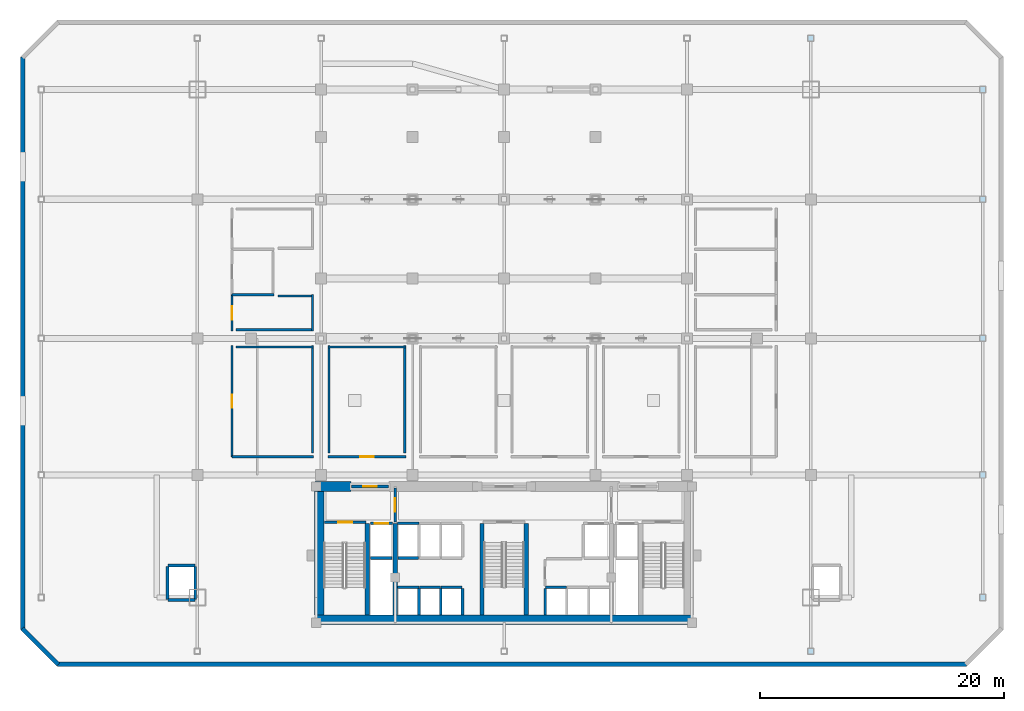
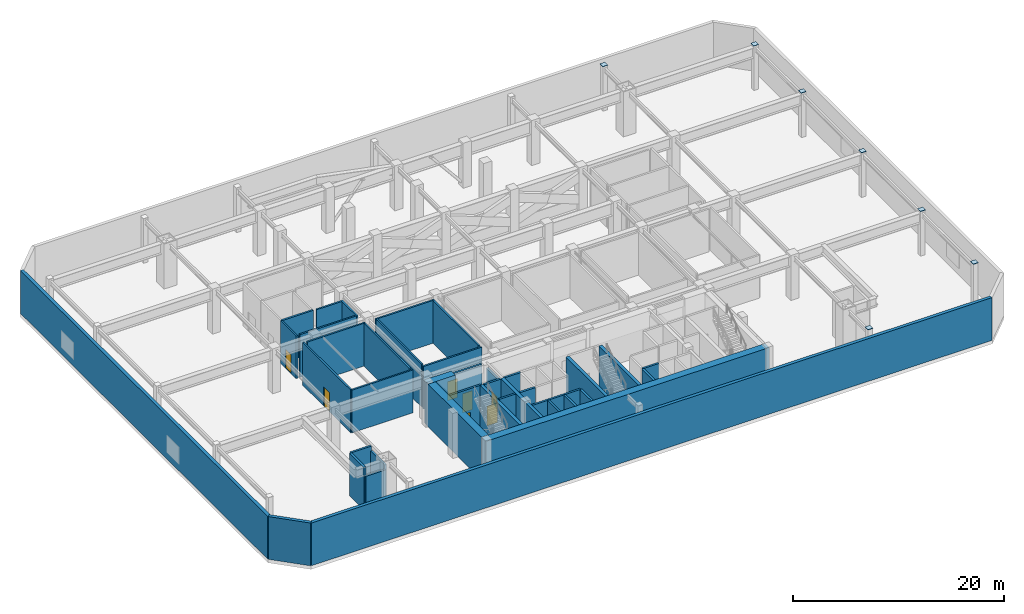
# One storey, part 8 of 14: 42 walls, 7 doors, 7 plates, 7 openings.
"""IFC4 building model written with IfcOpenShell, lengths in metres."""

import ifcopenshell
import ifcopenshell.guid

model = None  # the IFC model being written
_history = None  # IfcOwnerHistory: only IFC2X3 demands one
_inside = {}  # id of a spatial element -> (the spatial element, [elements in it])
_under = {}  # id of a project, library or spatial element -> (it, [spatial elements below it])
_declared = {}  # id of a project -> (the project, [libraries it declares])
_typed = {}  # id of a type object -> (the type object, [elements of that type])
_made_of = {}  # id of a material, layer set ... -> (it, [elements and type objects made of it])


def new_model(schema):
    """Start an empty IFC model of exactly this schema.

    Asked for "IFC4X3", IfcOpenShell would pick the latest addendum, in which some entities
    have other attributes; the version numbers below select the first issue.
    IFC2X3 requires an IfcOwnerHistory on every rooted entity: one is made here for all.
    """
    global model, _history
    if schema == "IFC4X3":
        model = ifcopenshell.file(schema_version=(4, 3, 0, 0))
    else:
        model = ifcopenshell.file(schema=schema)
    _inside.clear()
    _under.clear()
    _declared.clear()
    _typed.clear()
    _made_of.clear()
    _history = None
    if model.schema == "IFC2X3":
        org = make("IfcOrganization", Name="unknown")
        user = make(
            "IfcPersonAndOrganization",
            ThePerson=make("IfcPerson", FamilyName="unknown"),
            TheOrganization=org,
        )
        app = make(
            "IfcApplication",
            ApplicationDeveloper=org,
            Version="unknown",
            ApplicationFullName="unknown",
            ApplicationIdentifier="unknown",
        )
        _history = make(
            "IfcOwnerHistory",
            OwningUser=user,
            OwningApplication=app,
            ChangeAction="ADDED",
            CreationDate=0,
        )
    return model


def make(cls, **values):
    """One entity of the class cls with the attributes given. An attribute that is None is left unset."""
    return model.create_entity(
        cls, **{name: value for name, value in values.items() if value is not None}
    )


def rooted(cls, **values):
    """An entity with a GlobalId (a new one), such as an element, a storey or a relation."""
    return make(cls, GlobalId=ifcopenshell.guid.new(), OwnerHistory=_history, **values)


def si_unit(unit_type, name, prefix=None):
    """IfcSIUnit, for example si_unit("LENGTHUNIT", "METRE", prefix="MILLI")."""
    return make("IfcSIUnit", UnitType=unit_type, Prefix=prefix, Name=name)


def assignment(units):
    """IfcUnitAssignment: the units of a project."""
    return None if units is None else make("IfcUnitAssignment", Units=units)


def point(xyz):
    """IfcCartesianPoint."""
    return None if xyz is None else make("IfcCartesianPoint", Coordinates=xyz)


def direction(xyz):
    """IfcDirection."""
    return None if xyz is None else make("IfcDirection", DirectionRatios=xyz)


def frame(location, z_axis=None, x_axis=None):
    """IfcAxis2Placement3D, a coordinate frame: its origin and axes. An axis left out is left unset."""
    return make(
        "IfcAxis2Placement3D",
        Location=point(location),
        Axis=direction(z_axis),
        RefDirection=direction(x_axis),
    )


def frame_2d(location, x_axis=None):
    """IfcAxis2Placement2D, a coordinate frame in the plane: its origin and x axis."""
    return make(
        "IfcAxis2Placement2D", Location=point(location), RefDirection=direction(x_axis)
    )


def origin():
    """The frame at (0, 0, 0) with its axes left unset."""
    return frame((0.0, 0.0, 0.0))


def origin_2d():
    """The frame at (0, 0) in the plane with its x axis left unset."""
    return frame_2d((0.0, 0.0))


def place(relative_to, where):
    """IfcLocalPlacement: puts the frame where relative to a parent placement (None: the world)."""
    return make(
        "IfcLocalPlacement", PlacementRelTo=relative_to, RelativePlacement=where
    )


def context(
    kind, dimensions, precision=None, world=None, true_north=None, identifier=None
):
    """IfcGeometricRepresentationContext, for example the 3D "Model" context."""
    return make(
        "IfcGeometricRepresentationContext",
        ContextIdentifier=identifier,
        ContextType=kind,
        CoordinateSpaceDimension=dimensions,
        Precision=precision,
        WorldCoordinateSystem=world,
        TrueNorth=true_north,
    )


def subcontext(parent, identifier, kind, view, scale=None):
    """IfcGeometricRepresentationSubContext, for example "Body" below "Model"."""
    return make(
        "IfcGeometricRepresentationSubContext",
        ContextIdentifier=identifier,
        ContextType=kind,
        ParentContext=parent,
        TargetScale=scale,
        TargetView=view,
    )


def project(units=None, contexts=None):
    """IfcProject with its units and contexts."""
    return rooted(
        "IfcProject",
        Name="project",
        RepresentationContexts=contexts,
        UnitsInContext=assignment(units),
    )


def spatial(cls, under=None, at=None, **own):
    """A site, building, storey or space (cls), placed at a placement, below another one or the project."""
    s = rooted(cls, ObjectPlacement=at, **own)
    if under is not None:
        _under.setdefault(under.id(), (under, []))[1].append(s)
    return s


def profile(cls, at=None, kind="AREA", **sizes):
    """A parametric profile (cls). Its sizes go by their IFC names, for example OverallWidth=200.0."""
    return make(cls, ProfileType=kind, Position=at, **sizes)


def rectangle(**sizes):
    """IfcRectangleProfileDef."""
    return profile("IfcRectangleProfileDef", **sizes)


def extrude(swept, where, along, depth):
    """IfcExtrudedAreaSolid: the profile swept, set in the frame where, extruded along a direction by depth."""
    return make(
        "IfcExtrudedAreaSolid",
        SweptArea=swept,
        Position=where,
        ExtrudedDirection=direction(along),
        Depth=depth,
    )


def shape(context_of_items, identifier, shape_type, items):
    """IfcShapeRepresentation: the items that make up one representation, for example the "Body"."""
    return make(
        "IfcShapeRepresentation",
        ContextOfItems=context_of_items,
        RepresentationIdentifier=identifier,
        RepresentationType=shape_type,
        Items=items,
    )


def material(Name=None, Category=None):
    """IfcMaterial."""
    return make("IfcMaterial", Name=Name, Category=Category)


def layer(
    of_material, thickness, ventilated=None, Name=None, Category=None, Priority=None
):
    """IfcMaterialLayer: one layer of a wall or slab, of a material (None: an air gap)."""
    return make(
        "IfcMaterialLayer",
        Material=of_material,
        LayerThickness=thickness,
        IsVentilated=ventilated,
        Name=Name,
        Category=Category,
        Priority=Priority,
    )


def layer_set(layers, Name=None):
    """IfcMaterialLayerSet."""
    return make("IfcMaterialLayerSet", MaterialLayers=layers, LayerSetName=Name)


def made_of(thing, what):
    """Note that an element or type object is made of a material, layer set ...; save() writes the relation."""
    if what is not None:
        _made_of.setdefault(what.id(), (what, []))[1].append(thing)
    return thing


def type_object(cls, material=None, **own):
    """A type object (cls), such as IfcWallType, which elements share."""
    return made_of(rooted(cls, **own), material)


def element(
    cls,
    number,
    at=None,
    inside=None,
    cuts=None,
    type_object=None,
    material=None,
    context=None,
    identifier="Body",
    shape_type=None,
    held_by="IfcProductDefinitionShape",
    body=None,
    shapes=None,
    **own,
):
    """One element of the class cls, such as IfcWall. Its Tag is "e" and its number.

    at: its placement. inside: the storey or other place that contains it. cuts: it is an
    opening in that element (IfcRelVoidsElement). A single representation is given by context,
    identifier, shape_type and body (its items); several are given by shapes. held_by: the class
    of the entity that holds the representations. save() writes the other relations.
    """
    e = rooted(cls, Tag="e%d" % number, ObjectPlacement=at, **own)
    if body is not None:
        shapes = [shape(context, identifier, shape_type, body)]
    if shapes is not None:
        e.Representation = make(held_by, Representations=shapes)
    if inside is not None:
        _inside.setdefault(inside.id(), (inside, []))[1].append(e)
    if cuts is not None:
        rooted(
            "IfcRelVoidsElement", RelatingBuildingElement=cuts, RelatedOpeningElement=e
        )
    if type_object is not None:
        _typed.setdefault(type_object.id(), (type_object, []))[1].append(e)
    return made_of(e, material)


def fill(opening, filler):
    """IfcRelFillsElement: the door or window that sits in an opening."""
    return rooted(
        "IfcRelFillsElement",
        RelatingOpeningElement=opening,
        RelatedBuildingElement=filler,
    )


def aggregate(whole, parts):
    """IfcRelAggregates: a whole, such as a stair, and the parts it consists of."""
    return rooted("IfcRelAggregates", RelatingObject=whole, RelatedObjects=parts)


def save(model, path):
    """Write the relations noted so far, then the file.

    IfcRelAggregates (storeys below a building ...), IfcRelContainedInSpatialStructure (elements
    in a storey), IfcRelDefinesByType, IfcRelAssociatesMaterial and IfcRelDeclares: one each for
    every whole, place, type object, material and project.
    """
    for whole, parts in _under.values():
        aggregate(whole, parts)
    for where, things in _inside.values():
        rooted(
            "IfcRelContainedInSpatialStructure",
            RelatedElements=things,
            RelatingStructure=where,
        )
    for kind, things in _typed.values():
        rooted("IfcRelDefinesByType", RelatedObjects=things, RelatingType=kind)
    for what, things in _made_of.values():
        rooted("IfcRelAssociatesMaterial", RelatedObjects=things, RelatingMaterial=what)
    for by, libraries in _declared.values():
        rooted("IfcRelDeclares", RelatingContext=by, RelatedDefinitions=libraries)
    model.write(path)


model = new_model("IFC4")

# Units and contexts
model_context = context("Model", 3, precision=1e-05, world=origin(), true_north=direction((0.0, 1.0)))
body_context = subcontext(model_context, "Body", "Model", "MODEL_VIEW")
ifc_project = project(units=[si_unit("LENGTHUNIT", "METRE"), si_unit("AREAUNIT", "SQUARE_METRE"), si_unit("VOLUMEUNIT", "CUBIC_METRE"), si_unit("PLANEANGLEUNIT", "RADIAN"), si_unit("MASSUNIT", "GRAM", prefix="KILO")], contexts=[model_context])

# Site, building, storey
site_placement = place(None, origin())
site = spatial("IfcSite", under=ifc_project, at=site_placement, CompositionType="ELEMENT")
building_placement = place(site_placement, origin())
building = spatial("IfcBuilding", under=site, at=building_placement, Name="Ventersveld Concourse Tower", CompositionType="ELEMENT")
storey_placement = place(building_placement, frame((0.0, 0.0, 24.60009765625)))
storey = spatial("IfcBuildingStorey", under=building, at=storey_placement, Name="L05", CompositionType="ELEMENT", Elevation=24.60009765625)

# Plates
ifc_material_1 = material(Name="Structural steel S355J2", Category="steel")
ifc_layer_1 = layer(ifc_material_1, 0.050048828125)
ifc_layer_set_1 = layer_set([ifc_layer_1], Name="Structural steel S355J2")
plate_type = type_object("IfcPlateType", Name="PL-MAST-BASE-50", PredefinedType="USERDEFINED", material=ifc_layer_set_1)
for number, where, z_axis, x_axis, name in (
    (1, (68.0, 2.35009765625, 5.14990234375), (0.0, 0.0, 1.0), (1.0, 0.0, 0.0), "L05 Hollow Column Steel End Cap Plate 006"),
    (2, (68.0, 12.39990234375, 5.14990234375), (0.0, 0.0, 1.0), (1.0, 0.0, 0.0), "L05 Hollow Column Steel End Cap Plate 007"),
    (3, (68.0, 23.60009765625, 5.14990234375), (0.0, 0.0, 1.0), (1.0, 0.0, 0.0), "L05 Hollow Column Steel End Cap Plate 008"),
    (4, (68.0, 35.0, 5.14990234375), (0.0, 0.0, 1.0), (1.0, 0.0, 0.0), "L05 Hollow Column Steel End Cap Plate 009"),
    (5, (68.0, 44.0, 5.14990234375), (0.0, 0.0, 1.0), (1.0, 0.0, 0.0), "L05 Hollow Column Steel End Cap Plate 010"),
    (6, (53.89990234375, 48.199951171875, 5.14990234375), (0.0, 0.0, 1.0), (1.0, 0.0, 0.0), "L05 Hollow Column Steel End Cap Plate 015"),
    (7, (53.89990234375, -2.050048828125, 5.14990234375), (0.0, 0.0, 1.0), (1.0, 0.0, 0.0), "L05 Hollow Column Steel End Cap Plate 018"),
):
    element("IfcPlate", number, at=place(storey_placement, frame(where, z_axis=z_axis, x_axis=x_axis)), inside=storey, type_object=plate_type, Name=name, ObjectType="GUSSET_PLATE", PredefinedType="USERDEFINED", context=body_context, shape_type="SweptSolid", body=[
        extrude(rectangle(XDim=0.5400390625, YDim=0.5400390625, at=origin_2d()), origin(), (0.0, 0.0, 1.0), 0.050048828125),
    ])

# Walls
ifc_material_2 = material(Name="Concrete C60/75", Category="concrete")
ifc_layer_2 = layer(ifc_material_2, 0.35009765625)
ifc_layer_set_2 = layer_set([ifc_layer_2], Name="Concrete C60/75")
wall_type_1 = type_object("IfcWallType", Name="WL-CORE-350L", PredefinedType="SHEAR", material=ifc_layer_set_2)
for number, where, z_axis, x_axis, name in (
    (8, (17.5400390625, 0.919921875, 0.0), (0.0, 0.0, 1.0), (0.0, 1.0, 0.0), "L05 Core Internal Shear Web W-ST1-E"),
    (9, (19.820068359375, 0.919921875, 0.0), (0.0, 0.0, 1.0), (0.0, 1.0, 0.0), "L05 Core Internal Shear Web W-FF1-E"),
    (10, (26.93994140625, 0.919921875, 0.0), (0.0, 0.0, 1.0), (0.0, 1.0, 0.0), "L05 Core Internal Shear Web W-ST3-W"),
    (11, (30.56005859375, 0.919921875, 0.0), (0.0, 0.0, 1.0), (0.0, 1.0, 0.0), "L05 Core Internal Shear Web W-ST3-E"),
):
    element("IfcWall", number, at=place(storey_placement, frame(where, z_axis=z_axis, x_axis=x_axis)), inside=storey, type_object=wall_type_1, Name=name, PredefinedType="SHEAR", context=body_context, shape_type="SweptSolid", body=[
        extrude(rectangle(XDim=7.5, YDim=0.35009765625, at=frame_2d((3.75, 0.0))), origin(), (0.0, 0.0, 1.0), 4.949951171875),
    ])
ifc_layer_3 = layer(ifc_material_2, 0.800048828125)
ifc_layer_set_3 = layer_set([ifc_layer_3], Name="Concrete C60/75")
wall_type_2 = type_object("IfcWallType", Name="WL-CORE-800", PredefinedType="SHEAR", material=ifc_layer_set_3)
wall_1_placement = place(storey_placement, frame((13.25, 0.52001953125, 0.0), z_axis=(0.0, 0.0, 1.0), x_axis=(1.0, 0.0, 0.0)))
element("IfcWall", 12, at=wall_1_placement, inside=storey, type_object=wall_type_2, Name="L05 Rear Core South Shear Wall", PredefinedType="SHEAR", context=body_context, shape_type="SweptSolid", body=[
    extrude(rectangle(XDim=31.0, YDim=0.800048828125, at=frame_2d((15.5, 0.0))), origin(), (0.0, 0.0, 1.0), 4.949951171875),
])
wall_2_placement = place(storey_placement, frame((13.60009765625, 0.919921875, 0.0), z_axis=(0.0, 0.0, 1.0), x_axis=(0.0, 1.0, 0.0)))
element("IfcWall", 13, at=wall_2_placement, inside=storey, type_object=wall_type_2, Name="L05 Rear Core West Shear Wall", PredefinedType="SHEAR", context=body_context, shape_type="SweptSolid", body=[
    extrude(rectangle(XDim=10.530029296875, YDim=0.800048828125, at=frame_2d((5.26513671875, 0.0))), origin(), (0.0, 0.0, 1.0), 4.949951171875),
])
wall_3_placement = place(storey_placement, frame((13.25, 11.449951171875, 0.0), z_axis=(0.0, 0.0, 1.0), x_axis=(1.0, 0.0, 0.0)))
element("IfcWall", 14, at=wall_3_placement, inside=storey, type_object=wall_type_2, Name="L05 Rear Core North Shear Wall NW", PredefinedType="SHEAR", context=body_context, shape_type="SweptSolid", body=[
    extrude(rectangle(XDim=2.949951171875, YDim=0.800048828125, at=frame_2d((1.47509765625, 0.0))), origin(), (0.0, 0.0, 1.0), 4.949951171875),
])

# Wall, opening, door
ifc_material_3 = material(Name="Fire-rated autoclaved aerated masonry blockwork", Category="masonry")
ifc_layer_4 = layer(ifc_material_3, 0.179931640625)
ifc_layer_set_4 = layer_set([ifc_layer_4], Name="Fire-rated autoclaved aerated masonry blockwork")
wall_type_3 = type_object("IfcWallType", Name="WL-CORR-180", PredefinedType="PARTITIONING", material=ifc_layer_set_4)
wall_4_placement = place(storey_placement, frame((6.43994140625, 13.885009765625, 0.0), z_axis=(0.0, 0.0, 1.0), x_axis=(0.0, 1.0, 0.0)))
wall_4 = element("IfcWall", 15, at=wall_4_placement, inside=storey, type_object=wall_type_3, Name="L05 Interior Partition SP-L05-PCOR-SP-L05-REF-1", PredefinedType="PARTITIONING", context=body_context, shape_type="SweptSolid", body=[
    extrude(rectangle(XDim=9.110107421875, YDim=0.179931640625, at=frame_2d((4.55517578125, 0.0))), origin(), (0.0, 0.0, 1.0), 4.949951171875),
])
opening_1_placement = place(wall_4_placement, frame((4.0048828125, 0.0, 0.0)))
opening_1 = element("IfcOpeningElement", 16, at=opening_1_placement, cuts=wall_4, Name="Opening FD2", PredefinedType="OPENING", context=body_context, shape_type="SweptSolid", body=[
    extrude(rectangle(XDim=1.10009765625, YDim=2.199951171875, at=frame_2d((0.550048828125, 1.10009765625))), frame((0.0, 0.10009765625, 0.0), z_axis=(0.0, -1.0, 0.0), x_axis=(1.0, 0.0, 0.0)), (0.0, 0.0, 1.0), 0.199951171875),
])
ifc_material_4 = material(Name="Galvanised painted steel", Category="steel")
door_type_1 = type_object("IfcDoorType", Name="DR-FFL-110", OperationType="NOTDEFINED", PredefinedType="DOOR", material=ifc_material_4)
door_1_placement = place(opening_1_placement, origin())
door_1 = element("IfcDoor", 17, at=door_1_placement, inside=storey, type_object=door_type_1, Name="L05 Interior Door SP-L05-PCOR to SP-L05-REF-1 (FD-L05-0164)", OperationType="SINGLE_SWING_RIGHT", OverallHeight=2.199951171875, OverallWidth=1.10009765625, PredefinedType="DOOR", context=body_context, shape_type="SweptSolid", body=[
    extrude(rectangle(XDim=1.10009765625, YDim=2.199951171875, at=frame_2d((0.550048828125, 1.10009765625))), frame((0.0, 0.02490234375, 0.0), z_axis=(0.0, -1.0, 0.0), x_axis=(1.0, 0.0, 0.0)), (0.0, 0.0, 1.0), 0.050048828125),
])
fill(opening_1, door_1)

# Wall
wall_5_placement = place(storey_placement, frame((6.43505859375, 13.889892578125, 0.0), z_axis=(0.0, 0.0, 1.0), x_axis=(1.0, 0.0, 0.0)))
element("IfcWall", 18, at=wall_5_placement, inside=storey, type_object=wall_type_3, Name="L05 Interior Partition SP-L05-PCOR-SP-L05-REF-1", PredefinedType="PARTITIONING", context=body_context, shape_type="SweptSolid", body=[
    extrude(rectangle(XDim=6.7099609375, YDim=0.179931640625, at=frame_2d((3.35498046875, 0.0))), origin(), (0.0, 0.0, 1.0), 4.949951171875),
])

# Wall, opening, door
wall_6_placement = place(storey_placement, frame((14.304931640625, 13.889892578125, 0.0), z_axis=(0.0, 0.0, 1.0), x_axis=(1.0, 0.0, 0.0)))
wall_6 = element("IfcWall", 19, at=wall_6_placement, inside=storey, type_object=wall_type_3, Name="L05 Interior Partition SP-L05-PCOR-SP-L05-REF-2", PredefinedType="PARTITIONING", context=body_context, shape_type="SweptSolid", body=[
    extrude(rectangle(XDim=6.39013671875, YDim=0.179931640625, at=frame_2d((3.195068359375, 0.0))), origin(), (0.0, 0.0, 1.0), 4.949951171875),
])
opening_2_placement = place(wall_6_placement, frame((2.64501953125, 0.0, 0.0)))
opening_2 = element("IfcOpeningElement", 20, at=opening_2_placement, cuts=wall_6, Name="Opening FD2", PredefinedType="OPENING", context=body_context, shape_type="SweptSolid", body=[
    extrude(rectangle(XDim=1.10009765625, YDim=2.199951171875, at=frame_2d((0.550048828125, 1.10009765625))), frame((0.0, 0.10009765625, 0.0), z_axis=(0.0, -1.0, 0.0), x_axis=(1.0, 0.0, 0.0)), (0.0, 0.0, 1.0), 0.199951171875),
])
door_2_placement = place(opening_2_placement, origin())
door_2 = element("IfcDoor", 21, at=door_2_placement, inside=storey, type_object=door_type_1, Name="L05 Interior Door SP-L05-PCOR to SP-L05-REF-2 (FD-L05-0165)", OperationType="SINGLE_SWING_LEFT", OverallHeight=2.199951171875, OverallWidth=1.10009765625, PredefinedType="DOOR", context=body_context, shape_type="SweptSolid", body=[
    extrude(rectangle(XDim=1.10009765625, YDim=2.199951171875, at=frame_2d((0.550048828125, 1.10009765625))), frame((0.0, 0.02490234375, 0.0), z_axis=(0.0, -1.0, 0.0), x_axis=(1.0, 0.0, 0.0)), (0.0, 0.0, 1.0), 0.050048828125),
])
fill(opening_2, door_2)

wall_7_placement = place(storey_placement, frame((6.43994140625, 24.205078125, 0.0), z_axis=(0.0, 0.0, 1.0), x_axis=(0.0, 1.0, 0.0)))
wall_7 = element("IfcWall", 22, at=wall_7_placement, inside=storey, type_object=wall_type_3, Name="L05 Interior Partition SP-L05-PCOR-SP-L05-REF-7", PredefinedType="PARTITIONING", context=body_context, shape_type="SweptSolid", body=[
    extrude(rectangle(XDim=2.969970703125, YDim=0.179931640625, at=frame_2d((1.48486328125, 0.0))), origin(), (0.0, 0.0, 1.0), 4.949951171875),
])
opening_3_placement = place(wall_7_placement, frame((0.93505859375, 0.0, 0.0)))
opening_3 = element("IfcOpeningElement", 23, at=opening_3_placement, cuts=wall_7, Name="Opening FD2", PredefinedType="OPENING", context=body_context, shape_type="SweptSolid", body=[
    extrude(rectangle(XDim=1.10009765625, YDim=2.199951171875, at=frame_2d((0.550048828125, 1.10009765625))), frame((0.0, 0.10009765625, 0.0), z_axis=(0.0, -1.0, 0.0), x_axis=(1.0, 0.0, 0.0)), (0.0, 0.0, 1.0), 0.199951171875),
])
door_3_placement = place(opening_3_placement, origin())
door_3 = element("IfcDoor", 24, at=door_3_placement, inside=storey, type_object=door_type_1, Name="L05 Interior Door SP-L05-PCOR to SP-L05-REF-7 (FD-L05-0170)", OperationType="SINGLE_SWING_RIGHT", OverallHeight=2.199951171875, OverallWidth=1.10009765625, PredefinedType="DOOR", context=body_context, shape_type="SweptSolid", body=[
    extrude(rectangle(XDim=1.10009765625, YDim=2.199951171875, at=frame_2d((0.550048828125, 1.10009765625))), frame((0.0, 0.02490234375, 0.0), z_axis=(0.0, -1.0, 0.0), x_axis=(1.0, 0.0, 0.0)), (0.0, 0.0, 1.0), 0.050048828125),
])
fill(opening_3, door_3)

# Walls
wall_8_placement = place(storey_placement, frame((13.050048828125, 14.215087890625, 0.0), z_axis=(0.0, 0.0, 1.0), x_axis=(0.0, 1.0, 0.0)))
element("IfcWall", 25, at=wall_8_placement, inside=storey, type_object=wall_type_3, Name="L05 Room Enclosure Wall SP-L05-REF-1", PredefinedType="PARTITIONING", context=body_context, shape_type="SweptSolid", body=[
    extrude(rectangle(XDim=8.780029296875, YDim=0.179931640625, at=frame_2d((4.39013671875, 0.0))), origin(), (0.0, 0.0, 1.0), 4.949951171875),
])
wall_9_placement = place(storey_placement, frame((13.14501953125, 22.89990234375, 0.0), z_axis=(0.0, 0.0, 1.0), x_axis=(-1.0, 0.0, 0.0)))
element("IfcWall", 26, at=wall_9_placement, inside=storey, type_object=wall_type_3, Name="L05 Room Enclosure Wall SP-L05-REF-1", PredefinedType="PARTITIONING", context=body_context, shape_type="SweptSolid", body=[
    extrude(rectangle(XDim=6.380126953125, YDim=0.179931640625, at=frame_2d((3.18994140625, 0.0))), origin(), (0.0, 0.0, 1.0), 4.949951171875),
])
wall_10_placement = place(storey_placement, frame((20.60009765625, 14.215087890625, 0.0), z_axis=(0.0, 0.0, 1.0), x_axis=(0.0, 1.0, 0.0)))
element("IfcWall", 27, at=wall_10_placement, inside=storey, type_object=wall_type_3, Name="L05 Room Enclosure Wall SP-L05-REF-2", PredefinedType="PARTITIONING", context=body_context, shape_type="SweptSolid", body=[
    extrude(rectangle(XDim=8.780029296875, YDim=0.179931640625, at=frame_2d((4.39013671875, 0.0))), origin(), (0.0, 0.0, 1.0), 4.949951171875),
])
wall_11_placement = place(storey_placement, frame((20.695068359375, 22.89990234375, 0.0), z_axis=(0.0, 0.0, 1.0), x_axis=(-1.0, 0.0, 0.0)))
element("IfcWall", 28, at=wall_11_placement, inside=storey, type_object=wall_type_3, Name="L05 Room Enclosure Wall SP-L05-REF-2", PredefinedType="PARTITIONING", context=body_context, shape_type="SweptSolid", body=[
    extrude(rectangle(XDim=6.39013671875, YDim=0.179931640625, at=frame_2d((3.195068359375, 0.0))), origin(), (0.0, 0.0, 1.0), 4.949951171875),
])
wall_12_placement = place(storey_placement, frame((14.39990234375, 22.9951171875, 0.0), z_axis=(0.0, 0.0, 1.0), x_axis=(0.0, -1.0, 0.0)))
element("IfcWall", 29, at=wall_12_placement, inside=storey, type_object=wall_type_3, Name="L05 Room Enclosure Wall SP-L05-REF-2", PredefinedType="PARTITIONING", context=body_context, shape_type="SweptSolid", body=[
    extrude(rectangle(XDim=8.780029296875, YDim=0.179931640625, at=frame_2d((4.39013671875, 0.0))), origin(), (0.0, 0.0, 1.0), 4.949951171875),
])
wall_13_placement = place(storey_placement, frame((6.764892578125, 24.300048828125, 0.0), z_axis=(0.0, 0.0, 1.0), x_axis=(1.0, 0.0, 0.0)))
element("IfcWall", 30, at=wall_13_placement, inside=storey, type_object=wall_type_3, Name="L05 Room Enclosure Wall SP-L05-REF-7", PredefinedType="PARTITIONING", context=body_context, shape_type="SweptSolid", body=[
    extrude(rectangle(XDim=6.380126953125, YDim=0.179931640625, at=frame_2d((3.18994140625, 0.0))), origin(), (0.0, 0.0, 1.0), 4.949951171875),
])
wall_14_placement = place(storey_placement, frame((13.050048828125, 24.205078125, 0.0), z_axis=(0.0, 0.0, 1.0), x_axis=(0.0, 1.0, 0.0)))
element("IfcWall", 31, at=wall_14_placement, inside=storey, type_object=wall_type_3, Name="L05 Room Enclosure Wall SP-L05-REF-7", PredefinedType="PARTITIONING", context=body_context, shape_type="SweptSolid", body=[
    extrude(rectangle(XDim=2.969970703125, YDim=0.179931640625, at=frame_2d((1.48486328125, 0.0))), origin(), (0.0, 0.0, 1.0), 4.949951171875),
])
wall_15_placement = place(storey_placement, frame((13.14501953125, 27.080078125, 0.0), z_axis=(0.0, 0.0, 1.0), x_axis=(-1.0, 0.0, 0.0)))
element("IfcWall", 32, at=wall_15_placement, inside=storey, type_object=wall_type_3, Name="L05 Room Enclosure Wall SP-L05-REF-7", PredefinedType="PARTITIONING", context=body_context, shape_type="SweptSolid", body=[
    extrude(rectangle(XDim=2.93505859375, YDim=0.179931640625, at=frame_2d((1.467529296875, 0.0))), origin(), (0.0, 0.0, 1.0), 4.949951171875),
])
ifc_layer_5 = layer(ifc_material_3, 0.199951171875)
ifc_layer_set_5 = layer_set([ifc_layer_5], Name="Fire-rated autoclaved aerated masonry blockwork")
wall_type_4 = type_object("IfcWallType", Name="WL-DEMISE-200", PredefinedType="PARTITIONING", material=ifc_layer_set_5)
wall_16_placement = place(storey_placement, frame((6.43505859375, 27.169921875, 0.0), z_axis=(0.0, 0.0, 1.0), x_axis=(1.0, 0.0, 0.0)))
element("IfcWall", 33, at=wall_16_placement, inside=storey, type_object=wall_type_4, Name="L05 Interior Partition SP-L05-REF-7-SP-L05-AWC", PredefinedType="PARTITIONING", context=body_context, shape_type="SweptSolid", body=[
    extrude(rectangle(XDim=3.4599609375, YDim=0.199951171875, at=frame_2d((1.72998046875, 0.0))), origin(), (0.0, 0.0, 1.0), 4.949951171875),
])
ifc_layer_6 = layer(ifc_material_3, 0.219970703125)
ifc_layer_set_6 = layer_set([ifc_layer_6], Name="Fire-rated autoclaved aerated masonry blockwork")
wall_type_5 = type_object("IfcWallType", Name="WL-HOIST-220", PredefinedType="SOLIDWALL", material=ifc_layer_set_6)
wall_17_placement = place(storey_placement, frame((17.800048828125, 5.590087890625, 0.0), z_axis=(0.0, 0.0, 1.0), x_axis=(1.0, 0.0, 0.0)))
element("IfcWall", 34, at=wall_17_placement, inside=storey, type_object=wall_type_5, Name="L05 Lift Hoistway Back Wall FFL-01", PredefinedType="SOLIDWALL", context=body_context, shape_type="SweptSolid", body=[
    extrude(rectangle(XDim=1.780029296875, YDim=0.219970703125, at=frame_2d((0.89013671875, 0.0))), origin(), (0.0, 0.0, 1.0), 4.949951171875),
])

# Wall, opening, door
wall_18_placement = place(storey_placement, frame((17.780029296875, 8.429931640625, 0.0), z_axis=(0.0, 0.0, 1.0), x_axis=(1.0, 0.0, 0.0)))
wall_18 = element("IfcWall", 35, at=wall_18_placement, inside=storey, type_object=wall_type_5, Name="L05 Lift Hoistway Front Wall FFL-01", PredefinedType="SOLIDWALL", context=body_context, shape_type="SweptSolid", body=[
    extrude(rectangle(XDim=1.820068359375, YDim=0.219970703125, at=frame_2d((0.91015625, 0.0))), origin(), (0.0, 0.0, 1.0), 4.949951171875),
])
opening_4_placement = place(wall_18_placement, frame((0.35009765625, 0.0, 0.0)))
opening_4 = element("IfcOpeningElement", 36, at=opening_4_placement, cuts=wall_18, Name="Opening LD1", PredefinedType="OPENING", context=body_context, shape_type="SweptSolid", body=[
    extrude(rectangle(XDim=1.1201171875, YDim=2.25, at=frame_2d((0.56005859375, 1.125))), frame((0.0, 0.1201171875, 0.0), z_axis=(0.0, -1.0, 0.0), x_axis=(1.0, 0.0, 0.0)), (0.0, 0.0, 1.0), 0.239990234375),
])
ifc_material_5 = material(Name="Brushed stainless steel 316", Category="steel")
door_type_2 = type_object("IfcDoorType", Name="LD-FF-112", OperationType="SLIDING_TO_LEFT", PredefinedType="DOOR", material=ifc_material_5)
door_4_placement = place(opening_4_placement, origin())
door_4 = element("IfcDoor", 37, at=door_4_placement, inside=storey, type_object=door_type_2, Name="L05 Lift landing door FFL-01 (LD-L05-FFL-01)", OperationType="SLIDING_TO_RIGHT", OverallHeight=2.25, OverallWidth=1.1201171875, PredefinedType="DOOR", context=body_context, shape_type="SweptSolid", body=[
    extrude(rectangle(XDim=1.1201171875, YDim=2.25, at=frame_2d((0.56005859375, 1.125))), frame((0.0, 0.02490234375, 0.0), z_axis=(0.0, -1.0, 0.0), x_axis=(1.0, 0.0, 0.0)), (0.0, 0.0, 1.0), 0.050048828125),
])
fill(opening_4, door_4)

# Walls
wall_19_placement = place(storey_placement, frame((21.780029296875, 0.89990234375, 0.0), z_axis=(0.0, 0.0, 1.0), x_axis=(0.0, 1.0, 0.0)))
element("IfcWall", 38, at=wall_19_placement, inside=storey, type_object=wall_type_5, Name="L05 Lift Hoistway Side Wall PL-01E", PredefinedType="SOLIDWALL", context=body_context, shape_type="SweptSolid", body=[
    extrude(rectangle(XDim=2.2001953125, YDim=0.219970703125, at=frame_2d((1.10009765625, 0.0))), origin(), (0.0, 0.0, 1.0), 4.949951171875),
])
wall_20_placement = place(storey_placement, frame((20.02001953125, 3.179931640625, 0.0), z_axis=(0.0, 0.0, 1.0), x_axis=(1.0, 0.0, 0.0)))
element("IfcWall", 39, at=wall_20_placement, inside=storey, type_object=wall_type_5, Name="L05 Lift Hoistway Front Wall PL-01", PredefinedType="SOLIDWALL", context=body_context, shape_type="SweptSolid", body=[
    extrude(rectangle(XDim=1.739990234375, YDim=0.219970703125, at=frame_2d((0.8701171875, 0.0))), origin(), (0.0, 0.0, 1.0), 4.949951171875),
])
wall_21_placement = place(storey_placement, frame((23.56005859375, 0.89990234375, 0.0), z_axis=(0.0, 0.0, 1.0), x_axis=(0.0, 1.0, 0.0)))
element("IfcWall", 40, at=wall_21_placement, inside=storey, type_object=wall_type_5, Name="L05 Lift Hoistway Side Wall PL-02E", PredefinedType="SOLIDWALL", context=body_context, shape_type="SweptSolid", body=[
    extrude(rectangle(XDim=2.2001953125, YDim=0.219970703125, at=frame_2d((1.10009765625, 0.0))), origin(), (0.0, 0.0, 1.0), 4.949951171875),
])
wall_22_placement = place(storey_placement, frame((21.800048828125, 3.179931640625, 0.0), z_axis=(0.0, 0.0, 1.0), x_axis=(1.0, 0.0, 0.0)))
element("IfcWall", 41, at=wall_22_placement, inside=storey, type_object=wall_type_5, Name="L05 Lift Hoistway Front Wall PL-02", PredefinedType="SOLIDWALL", context=body_context, shape_type="SweptSolid", body=[
    extrude(rectangle(XDim=1.739990234375, YDim=0.219970703125, at=frame_2d((0.8701171875, 0.0))), origin(), (0.0, 0.0, 1.0), 4.949951171875),
])
wall_23_placement = place(storey_placement, frame((25.340087890625, 0.89990234375, 0.0), z_axis=(0.0, 0.0, 1.0), x_axis=(0.0, 1.0, 0.0)))
element("IfcWall", 42, at=wall_23_placement, inside=storey, type_object=wall_type_5, Name="L05 Lift Hoistway Side Wall PL-03E", PredefinedType="SOLIDWALL", context=body_context, shape_type="SweptSolid", body=[
    extrude(rectangle(XDim=2.2001953125, YDim=0.219970703125, at=frame_2d((1.10009765625, 0.0))), origin(), (0.0, 0.0, 1.0), 4.949951171875),
])
wall_24_placement = place(storey_placement, frame((23.580078125, 3.179931640625, 0.0), z_axis=(0.0, 0.0, 1.0), x_axis=(1.0, 0.0, 0.0)))
element("IfcWall", 43, at=wall_24_placement, inside=storey, type_object=wall_type_5, Name="L05 Lift Hoistway Front Wall PL-03", PredefinedType="SOLIDWALL", context=body_context, shape_type="SweptSolid", body=[
    extrude(rectangle(XDim=1.739990234375, YDim=0.219970703125, at=frame_2d((0.8701171875, 0.0))), origin(), (0.0, 0.0, 1.0), 4.949951171875),
])
wall_25_placement = place(storey_placement, frame((32.1201171875, 0.89990234375, 0.0), z_axis=(0.0, 0.0, 1.0), x_axis=(0.0, 1.0, 0.0)))
element("IfcWall", 44, at=wall_25_placement, inside=storey, type_object=wall_type_5, Name="L05 Lift Hoistway Side Wall PM-01W", PredefinedType="SOLIDWALL", context=body_context, shape_type="SweptSolid", body=[
    extrude(rectangle(XDim=2.2001953125, YDim=0.219970703125, at=frame_2d((1.10009765625, 0.0))), origin(), (0.0, 0.0, 1.0), 4.949951171875),
])
wall_26_placement = place(storey_placement, frame((32.139892578125, 3.179931640625, 0.0), z_axis=(0.0, 0.0, 1.0), x_axis=(1.0, 0.0, 0.0)))
element("IfcWall", 45, at=wall_26_placement, inside=storey, type_object=wall_type_5, Name="L05 Lift Hoistway Front Wall PM-01", PredefinedType="SOLIDWALL", context=body_context, shape_type="SweptSolid", body=[
    extrude(rectangle(XDim=1.739990234375, YDim=0.219970703125, at=frame_2d((0.8701171875, 0.0))), origin(), (0.0, 0.0, 1.0), 4.949951171875),
])
wall_27_placement = place(storey_placement, frame((20.0400390625, 5.590087890625, 0.0), z_axis=(0.0, 0.0, 1.0), x_axis=(1.0, 0.0, 0.0)))
element("IfcWall", 46, at=wall_27_placement, inside=storey, type_object=wall_type_5, Name="L05 Lift Hoistway Back Wall PH-01", PredefinedType="SOLIDWALL", context=body_context, shape_type="SweptSolid", body=[
    extrude(rectangle(XDim=1.699951171875, YDim=0.219970703125, at=frame_2d((0.85009765625, 0.0))), origin(), (0.0, 0.0, 1.0), 4.949951171875),
])
wall_28_placement = place(storey_placement, frame((20.02001953125, 8.429931640625, 0.0), z_axis=(0.0, 0.0, 1.0), x_axis=(1.0, 0.0, 0.0)))
element("IfcWall", 47, at=wall_28_placement, inside=storey, type_object=wall_type_5, Name="L05 Lift Hoistway Front Wall PH-01", PredefinedType="SOLIDWALL", context=body_context, shape_type="SweptSolid", body=[
    extrude(rectangle(XDim=1.739990234375, YDim=0.219970703125, at=frame_2d((0.8701171875, 0.0))), origin(), (0.0, 0.0, 1.0), 4.949951171875),
])
wall_29_placement = place(storey_placement, frame((1.199951171875, 2.139892578125, 0.0), z_axis=(0.0, 0.0, 1.0), x_axis=(1.0, 0.0, 0.0)))
element("IfcWall", 48, at=wall_29_placement, inside=storey, type_object=wall_type_5, Name="L05 Lift Hoistway Back Wall SL-01", PredefinedType="SOLIDWALL", context=body_context, shape_type="SweptSolid", body=[
    extrude(rectangle(XDim=2.199951171875, YDim=0.219970703125, at=frame_2d((1.10009765625, 0.0))), origin(), (0.0, 0.0, 1.0), 3.949951171875),
])
wall_30_placement = place(storey_placement, frame((1.159912109375, 2.199951171875, 0.0), z_axis=(0.0, 0.0, 1.0), x_axis=(0.0, 1.0, 0.0)))
element("IfcWall", 49, at=wall_30_placement, inside=storey, type_object=wall_type_5, Name="L05 Lift Hoistway Side Wall SL-01W", PredefinedType="SOLIDWALL", context=body_context, shape_type="SweptSolid", body=[
    extrude(rectangle(XDim=2.699951171875, YDim=0.219970703125, at=frame_2d((1.35009765625, 0.0))), origin(), (0.0, 0.0, 1.0), 4.949951171875),
])
wall_31_placement = place(storey_placement, frame((3.43994140625, 2.199951171875, 0.0), z_axis=(0.0, 0.0, 1.0), x_axis=(0.0, 1.0, 0.0)))
element("IfcWall", 50, at=wall_31_placement, inside=storey, type_object=wall_type_5, Name="L05 Lift Hoistway Side Wall SL-01E", PredefinedType="SOLIDWALL", context=body_context, shape_type="SweptSolid", body=[
    extrude(rectangle(XDim=2.699951171875, YDim=0.219970703125, at=frame_2d((1.35009765625, 0.0))), origin(), (0.0, 0.0, 1.0), 4.416748046875),
])
wall_32_placement = place(storey_placement, frame((1.179931640625, 4.97998046875, 0.0), z_axis=(0.0, 0.0, 1.0), x_axis=(1.0, 0.0, 0.0)))
element("IfcWall", 51, at=wall_32_placement, inside=storey, type_object=wall_type_5, Name="L05 Lift Hoistway Front Wall SL-01", PredefinedType="SOLIDWALL", context=body_context, shape_type="SweptSolid", body=[
    extrude(rectangle(XDim=2.239990234375, YDim=0.219970703125, at=frame_2d((1.1201171875, 0.0))), origin(), (0.0, 0.0, 1.0), 4.949951171875),
])

# Wall, opening, door
wall_33_placement = place(storey_placement, frame((14.0400390625, 8.52001953125, 0.0), z_axis=(0.0, 0.0, 1.0), x_axis=(1.0, 0.0, 0.0)))
wall_33 = element("IfcWall", 52, at=wall_33_placement, inside=storey, type_object=wall_type_5, Name="L05 Escape Stair ST01 Fire Wall", PredefinedType="SOLIDWALL", context=body_context, shape_type="SweptSolid", body=[
    extrude(rectangle(XDim=3.39990234375, YDim=0.219970703125, at=frame_2d((1.699951171875, 0.0))), origin(), (0.0, 0.0, 1.0), 4.949951171875),
])
opening_5_placement = place(wall_33_placement, frame((1.125, 0.0, 0.0)))
opening_5 = element("IfcOpeningElement", 53, at=opening_5_placement, cuts=wall_33, Name="Opening FD1", PredefinedType="OPENING", context=body_context, shape_type="SweptSolid", body=[
    extrude(rectangle(XDim=1.14990234375, YDim=2.199951171875, at=frame_2d((0.574951171875, 1.10009765625))), frame((0.0, 0.1201171875, 0.0), z_axis=(0.0, -1.0, 0.0), x_axis=(1.0, 0.0, 0.0)), (0.0, 0.0, 1.0), 0.239990234375),
])
door_type_3 = type_object("IfcDoorType", Name="DR-STAIR-115", OperationType="NOTDEFINED", PredefinedType="DOOR", material=ifc_material_4)
door_5_placement = place(opening_5_placement, origin())
door_5 = element("IfcDoor", 54, at=door_5_placement, inside=storey, type_object=door_type_3, Name="L05 Escape Stair Door ST01 (SD-L05-0155)", OperationType="SINGLE_SWING_LEFT", OverallHeight=2.199951171875, OverallWidth=1.14990234375, PredefinedType="DOOR", context=body_context, shape_type="SweptSolid", body=[
    extrude(rectangle(XDim=1.14990234375, YDim=2.199951171875, at=frame_2d((0.574951171875, 1.10009765625))), frame((0.0, 0.02490234375, 0.0), z_axis=(0.0, -1.0, 0.0), x_axis=(1.0, 0.0, 0.0)), (0.0, 0.0, 1.0), 0.050048828125),
])
fill(opening_5, door_5)

wall_34_placement = place(storey_placement, frame((19.820068359375, 8.52001953125, 0.0), z_axis=(0.0, 0.0, 1.0), x_axis=(0.0, 1.0, 0.0)))
wall_34 = element("IfcWall", 55, at=wall_34_placement, inside=storey, type_object=wall_type_5, Name="L05 Firefighting Lobby Smoke-Stop Wall FFLW-SEP", PredefinedType="SOLIDWALL", context=body_context, shape_type="SweptSolid", body=[
    extrude(rectangle(XDim=2.800048828125, YDim=0.219970703125, at=frame_2d((1.39990234375, 0.0))), origin(), (0.0, 0.0, 1.0), 4.405517578125),
])
opening_6_placement = place(wall_34_placement, frame((0.85009765625, 0.0, 0.0)))
opening_6 = element("IfcOpeningElement", 56, at=opening_6_placement, cuts=wall_34, Name="Opening FD2", PredefinedType="OPENING", context=body_context, shape_type="SweptSolid", body=[
    extrude(rectangle(XDim=1.10009765625, YDim=2.199951171875, at=frame_2d((0.550048828125, 1.10009765625))), frame((0.0, 0.1201171875, 0.0), z_axis=(0.0, -1.0, 0.0), x_axis=(1.0, 0.0, 0.0)), (0.0, 0.0, 1.0), 0.239990234375),
])
door_6_placement = place(opening_6_placement, origin())
door_6 = element("IfcDoor", 57, at=door_6_placement, inside=storey, type_object=door_type_1, Name="L05 Firefighting Lobby Door FFLW-SEP (FD-L05-0158)", OperationType="SINGLE_SWING_LEFT", OverallHeight=2.199951171875, OverallWidth=1.10009765625, PredefinedType="DOOR", context=body_context, shape_type="SweptSolid", body=[
    extrude(rectangle(XDim=1.10009765625, YDim=2.199951171875, at=frame_2d((0.550048828125, 1.10009765625))), frame((0.0, 0.02490234375, 0.0), z_axis=(0.0, -1.0, 0.0), x_axis=(1.0, 0.0, 0.0)), (0.0, 0.0, 1.0), 0.050048828125),
])
fill(opening_6, door_6)

wall_35_placement = place(storey_placement, frame((16.22998046875, 11.449951171875, 0.0), z_axis=(0.0, 0.0, 1.0), x_axis=(1.0, 0.0, 0.0)))
wall_35 = element("IfcWall", 58, at=wall_35_placement, inside=storey, type_object=wall_type_5, Name="L05 Core North Fire Portal FFLW-OUT", PredefinedType="SOLIDWALL", context=body_context, shape_type="SweptSolid", body=[
    extrude(rectangle(XDim=3.0400390625, YDim=0.219970703125, at=frame_2d((1.52001953125, 0.0))), origin(), (0.0, 0.0, 1.0), 4.949951171875),
])
opening_7_placement = place(wall_35_placement, frame((0.969970703125, 0.0, 0.0)))
opening_7 = element("IfcOpeningElement", 59, at=opening_7_placement, cuts=wall_35, Name="Opening FD2", PredefinedType="OPENING", context=body_context, shape_type="SweptSolid", body=[
    extrude(rectangle(XDim=1.10009765625, YDim=2.199951171875, at=frame_2d((0.550048828125, 1.10009765625))), frame((0.0, 0.1201171875, 0.0), z_axis=(0.0, -1.0, 0.0), x_axis=(1.0, 0.0, 0.0)), (0.0, 0.0, 1.0), 0.239990234375),
])
door_7_placement = place(opening_7_placement, origin())
door_7 = element("IfcDoor", 60, at=door_7_placement, inside=storey, type_object=door_type_1, Name="L05 Refuge Area Entry Door (FD-L05-0160)", OperationType="SINGLE_SWING_RIGHT", OverallHeight=2.199951171875, OverallWidth=1.10009765625, PredefinedType="DOOR", context=body_context, shape_type="SweptSolid", body=[
    extrude(rectangle(XDim=1.10009765625, YDim=2.199951171875, at=frame_2d((0.550048828125, 1.10009765625))), frame((0.0, 0.02490234375, 0.0), z_axis=(0.0, -1.0, 0.0), x_axis=(1.0, 0.0, 0.0)), (0.0, 0.0, 1.0), 0.050048828125),
])
fill(opening_7, door_7)

# Walls
ifc_material_6 = material(Name="Precast concrete C45/55", Category="concrete")
ifc_layer_7 = layer(ifc_material_6, 0.35009765625)
ifc_layer_set_7 = layer_set([ifc_layer_7], Name="Precast concrete C45/55")
wall_type_6 = type_object("IfcWallType", Name="WL-PREC-350", PredefinedType="SOLIDWALL", material=ifc_layer_set_7)
wall_36_placement = place(storey_placement, frame((-7.860107421875, -3.1201171875, 0.0), z_axis=(0.0, 0.0, 1.0), x_axis=(1.0, 0.0, 0.0)))
element("IfcWall", 61, at=wall_36_placement, inside=storey, type_object=wall_type_6, Name="L05 Podium Precast Perimeter Wall 01", PredefinedType="SOLIDWALL", context=body_context, shape_type="SweptSolid", body=[
    extrude(rectangle(XDim=74.52001953125, YDim=0.35009765625, at=frame_2d((37.260009765625, 0.0))), origin(), (0.0, 0.0, 1.0), 4.949951171875),
])
wall_37_placement = place(storey_placement, frame((-10.719970703125, 46.659912109375, 0.0), z_axis=(0.0, 0.0, 1.0), x_axis=(0.0, -1.0, 0.0)))
element("IfcWall", 62, at=wall_37_placement, inside=storey, type_object=wall_type_6, Name="L05 Podium Precast Perimeter Wall 07", PredefinedType="SOLIDWALL", context=body_context, shape_type="SweptSolid", body=[
    extrude(rectangle(XDim=46.919921875, YDim=0.35009765625, at=frame_2d((23.4599609375, 0.0))), origin(), (0.0, 0.0, 1.0), 4.949951171875),
])
wall_38_placement = place(storey_placement, frame((-10.744384765625, -0.200927734375, 0.0), z_axis=(0.0, 0.0, 1.0), x_axis=(0.707106781187, -0.707106781187, 0.0)))
element("IfcWall", 63, at=wall_38_placement, inside=storey, type_object=wall_type_6, Name="L05 Podium Precast Perimeter Wall 08", PredefinedType="SOLIDWALL", context=body_context, shape_type="SweptSolid", body=[
    extrude(rectangle(XDim=4.16259765625, YDim=0.35009765625, at=frame_2d((2.081298828125, 0.0))), origin(), (0.0, 0.0, 1.0), 4.949951171875),
])

save(model, "model.ifc")
